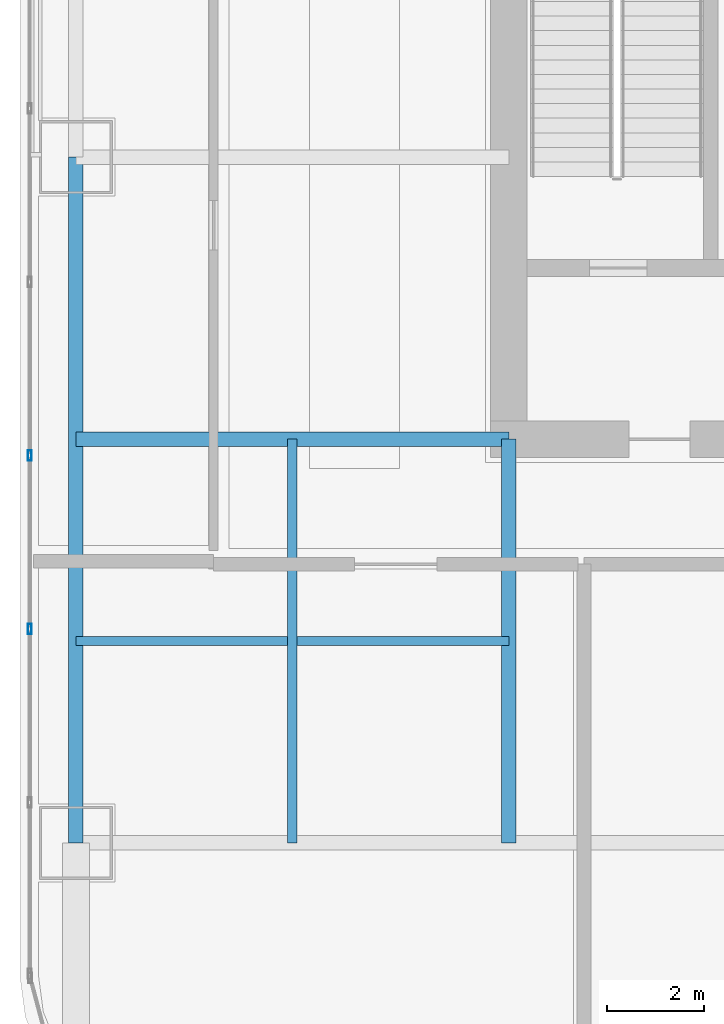
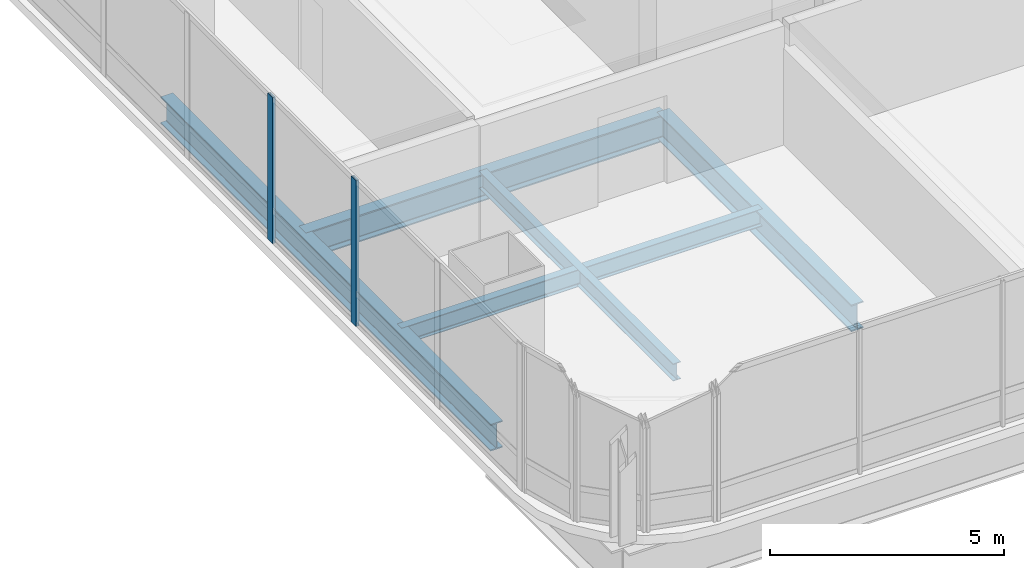
# One storey, part 3 of 34: 5 beams, 2 members, 1 element without a shape of its own.
"""IFC4 building model written with IfcOpenShell, lengths in metres."""

from ifc_helpers import new_model, si_unit, direction, frame, origin, origin_2d, place, context, subcontext, project, spatial, hollow_rectangle, i_section, extrude, material, material_profile, profile_set, type_object, element, aggregate, save


model = new_model("IFC4")

# Units and contexts
model_context = context("Model", 3, precision=1e-05, world=origin(), true_north=direction((0.0, 1.0)))
body_context = subcontext(model_context, "Body", "Model", "MODEL_VIEW")
ifc_project = project(units=[si_unit("LENGTHUNIT", "METRE"), si_unit("AREAUNIT", "SQUARE_METRE"), si_unit("VOLUMEUNIT", "CUBIC_METRE"), si_unit("PLANEANGLEUNIT", "RADIAN"), si_unit("MASSUNIT", "GRAM", prefix="KILO")], contexts=[model_context])

# Site, building, storey
site_placement = place(None, origin())
site = spatial("IfcSite", under=ifc_project, at=site_placement, CompositionType="ELEMENT")
building_placement = place(site_placement, origin())
building = spatial("IfcBuilding", under=site, at=building_placement, Name="Punatoya Terracotta Tower", CompositionType="ELEMENT")
storey_placement = place(building_placement, frame((0.0, 0.0, 80.85009765625)))
storey = spatial("IfcBuildingStorey", under=building, at=storey_placement, Name="L18", CompositionType="ELEMENT", Elevation=80.85009765625)

# Beams
ifc_material_1 = material(Name="Steel S355", Category="steel")
ifc_material_profile_1 = material_profile(ifc_material_1, i_section(OverallWidth=0.300048828125, OverallDepth=0.699951171875, WebThickness=0.01708984375, FlangeThickness=0.031982421875, FilletRadius=0.01806640625, at=origin_2d()))
ifc_profile_set_1 = profile_set([ifc_material_profile_1], Name="Steel S355")
beam_type_1 = type_object("IfcBeamType", Name="BM-PRI-700", PredefinedType="BEAM", material=ifc_profile_set_1)
beam_1_placement = place(storey_placement, frame((-19.10009765625, -17.5, -0.590087890625), z_axis=(0.0, 1.0, 0.0), x_axis=(-1.0, 0.0, 0.0)))
element("IfcBeam", 1, at=beam_1_placement, inside=storey, type_object=beam_type_1, Name="BM-L18-RG-W1", PredefinedType="BEAM", context=body_context, shape_type="SweptSolid", body=[
    extrude(i_section(OverallWidth=0.300048828125, OverallDepth=0.699951171875, WebThickness=0.01708984375, FlangeThickness=0.031982421875, FilletRadius=0.01806640625, at=origin_2d()), origin(), (0.0, 0.0, 1.0), 14.10009765625),
])
beam_2_placement = place(storey_placement, frame((-19.10009765625, -9.199951171875, -0.590087890625), z_axis=(1.0, 0.0, 0.0), x_axis=(0.0, 1.0, 0.0)))
element("IfcBeam", 2, at=beam_2_placement, inside=storey, type_object=beam_type_1, Name="BM-L18-PR-WS", PredefinedType="BEAM", context=body_context, shape_type="SweptSolid", body=[
    extrude(i_section(OverallWidth=0.300048828125, OverallDepth=0.699951171875, WebThickness=0.01708984375, FlangeThickness=0.031982421875, FilletRadius=0.01806640625, at=origin_2d()), origin(), (0.0, 0.0, 1.0), 8.900146484375),
])
beam_3_placement = place(storey_placement, frame((-10.199951171875, -17.5, -0.590087890625), z_axis=(0.0, 1.0, 0.0), x_axis=(-1.0, 0.0, 0.0)))
element("IfcBeam", 3, at=beam_3_placement, inside=storey, type_object=beam_type_1, Name="BM-L18-PR-S1", PredefinedType="BEAM", context=body_context, shape_type="SweptSolid", body=[
    extrude(i_section(OverallWidth=0.300048828125, OverallDepth=0.699951171875, WebThickness=0.01708984375, FlangeThickness=0.031982421875, FilletRadius=0.01806640625, at=origin_2d()), origin(), (0.0, 0.0, 1.0), 8.300048828125),
])
ifc_material_profile_2 = material_profile(ifc_material_1, i_section(OverallWidth=0.18994140625, OverallDepth=0.449951171875, WebThickness=0.009521484375, FlangeThickness=0.0146484375, FilletRadius=0.01806640625, at=origin_2d()))
ifc_profile_set_2 = profile_set([ifc_material_profile_2], Name="Steel S355")
beam_type_2 = type_object("IfcBeamType", Name="BM-SEC-450", PredefinedType="JOIST", material=ifc_profile_set_2)
beam_4_placement = place(storey_placement, frame((-19.10009765625, -13.35009765625, -0.465087890625), z_axis=(1.0, 0.0, 0.0), x_axis=(0.0, 1.0, 0.0)))
element("IfcBeam", 4, at=beam_4_placement, inside=storey, type_object=beam_type_2, Name="BM-L18-SJS-1", PredefinedType="JOIST", context=body_context, shape_type="SweptSolid", body=[
    extrude(i_section(OverallWidth=0.18994140625, OverallDepth=0.449951171875, WebThickness=0.009521484375, FlangeThickness=0.0146484375, FilletRadius=0.01806640625, at=origin_2d()), origin(), (0.0, 0.0, 1.0), 8.900146484375),
])
beam_5_placement = place(storey_placement, frame((-14.64990234375, -17.5, -0.465087890625), z_axis=(0.0, 1.0, 0.0), x_axis=(-1.0, 0.0, 0.0)))
element("IfcBeam", 5, at=beam_5_placement, inside=storey, type_object=beam_type_2, Name="BM-L18-SJW-1", PredefinedType="JOIST", context=body_context, shape_type="SweptSolid", body=[
    extrude(i_section(OverallWidth=0.18994140625, OverallDepth=0.449951171875, WebThickness=0.009521484375, FlangeThickness=0.0146484375, FilletRadius=0.01806640625, at=origin_2d()), origin(), (0.0, 0.0, 1.0), 8.300048828125),
])

# Curtain wall, members
ifc_material_2 = material(Name="Aluminium 6063-T6 + Double Low-E Glass", Category="aluminium")
curtain_wall_type = type_object("IfcCurtainWallType", Name="CW-M1", PredefinedType="NOTDEFINED", material=ifc_material_2)
curtain_wall_placement = place(storey_placement, origin())
curtain_wall = element("IfcCurtainWall", 6, at=curtain_wall_placement, inside=storey, type_object=curtain_wall_type, Name="L18 Curtain Wall CW-L18-W13-1", PredefinedType="NOTDEFINED")
ifc_material_3 = material(Name="Aluminium 6063-T6", Category="aluminium")
ifc_material_profile_3 = material_profile(ifc_material_3, hollow_rectangle(XDim=0.074951171875, YDim=0.2099609375, WallThickness=0.00439453125, at=origin_2d()))
ifc_profile_set_3 = profile_set([ifc_material_profile_3], Name="Aluminium 6063-T6")
member_type = type_object("IfcMemberType", Name="CW-MUL-M1", PredefinedType="MULLION", material=ifc_profile_set_3)
member_1_placement = place(storey_placement, frame((-20.050048828125, -9.534912109375, 0.0), z_axis=(0.0, 0.0, 1.0), x_axis=(1.0, 0.0, 0.0)))
member_1 = element("IfcMember", 7, at=member_1_placement, type_object=member_type, Name="CW-L18-W13-1 Mullion 07", PredefinedType="MULLION", context=body_context, shape_type="SweptSolid", body=[
    extrude(hollow_rectangle(XDim=0.074951171875, YDim=0.2099609375, WallThickness=0.00439453125, at=origin_2d()), origin(), (0.0, 0.0, 1.0), 3.809814453125),
])
member_2_placement = place(storey_placement, frame((-20.050048828125, -13.10205078125, 0.0), z_axis=(0.0, 0.0, 1.0), x_axis=(1.0, 0.0, 0.0)))
member_2 = element("IfcMember", 8, at=member_2_placement, type_object=member_type, Name="CW-L18-W13-1 Mullion 08", PredefinedType="MULLION", context=body_context, shape_type="SweptSolid", body=[
    extrude(hollow_rectangle(XDim=0.074951171875, YDim=0.2099609375, WallThickness=0.00439453125, at=origin_2d()), origin(), (0.0, 0.0, 1.0), 3.809814453125),
])
aggregate(curtain_wall, [member_1, member_2])

save(model, "model.ifc")
